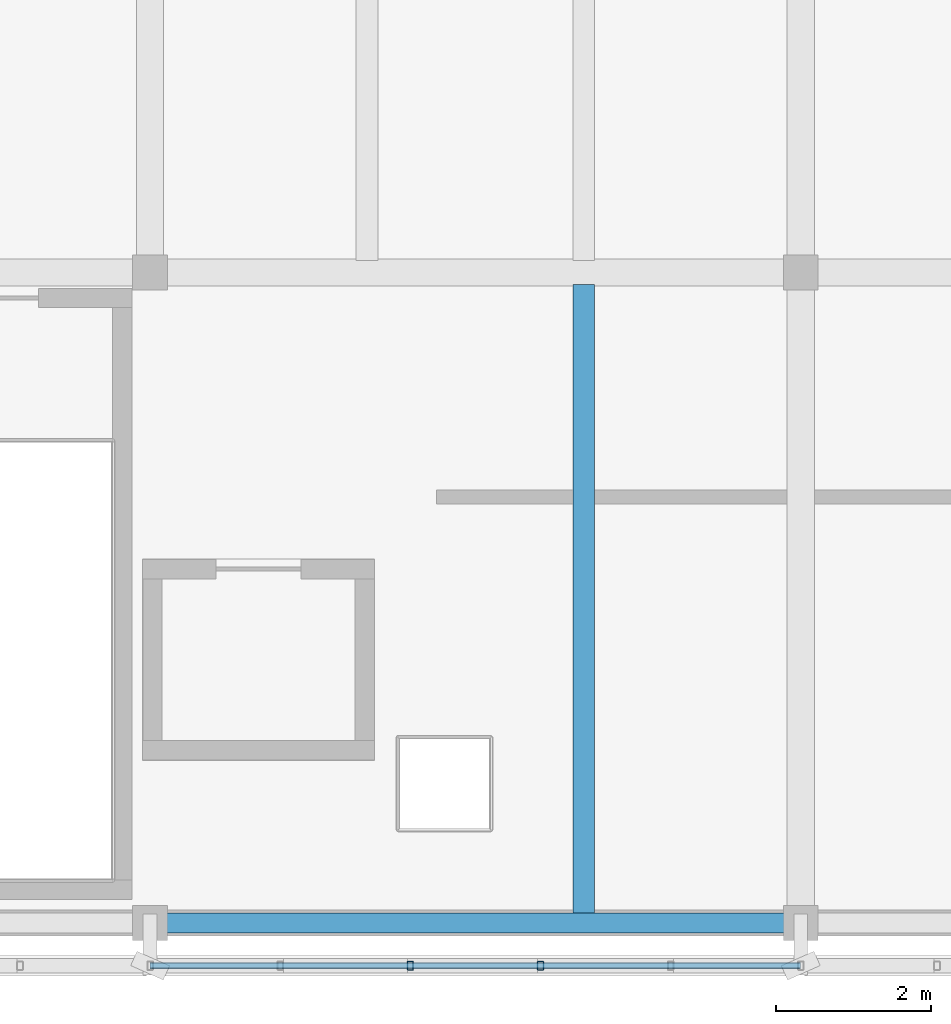
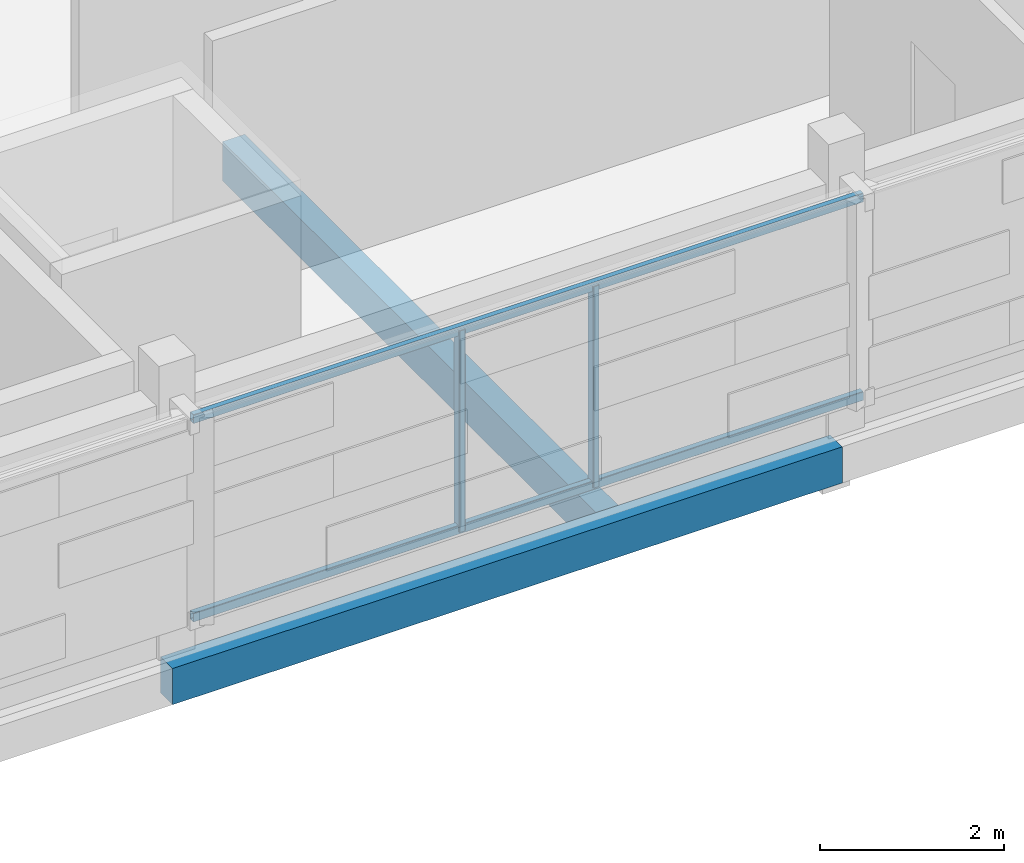
# One storey, part 10 of 117: 4 members, 2 beams.
"""IFC4 building model written with IfcOpenShell, lengths in metres."""

from ifc_helpers import new_model, si_unit, direction, frame, origin, origin_2d, place, context, subcontext, project, spatial, rectangle, hollow_rectangle, extrude, material, material_profile, profile_set, type_object, element, save


model = new_model("IFC4")

# Units and contexts
model_context = context("Model", 3, precision=1e-05, world=origin(), true_north=direction((0.0, 1.0)))
body_context = subcontext(model_context, "Body", "Model", "MODEL_VIEW")
ifc_project = project(units=[si_unit("LENGTHUNIT", "METRE"), si_unit("AREAUNIT", "SQUARE_METRE"), si_unit("VOLUMEUNIT", "CUBIC_METRE"), si_unit("PLANEANGLEUNIT", "RADIAN"), si_unit("MASSUNIT", "GRAM", prefix="KILO")], contexts=[model_context])

# Site, building, storey
site_placement = place(None, origin())
site = spatial("IfcSite", under=ifc_project, at=site_placement, CompositionType="ELEMENT")
building_placement = place(site_placement, origin())
building = spatial("IfcBuilding", under=site, at=building_placement, Name="Cinderway Yard Community Centre", CompositionType="ELEMENT")
storey_placement = place(building_placement, frame((0.0, 0.0, 9.0)))
storey = spatial("IfcBuildingStorey", under=building, at=storey_placement, Name="L02", CompositionType="ELEMENT", Elevation=9.0)

# Members
ifc_material_1 = material(Name="Steel S355", Category="steel")
ifc_material_profile_1 = material_profile(ifc_material_1, hollow_rectangle(XDim=0.080078125, YDim=0.1201171875, WallThickness=0.00634765625, InnerFilletRadius=0.00634765625, OuterFilletRadius=0.0126953125, at=origin_2d()), Name="Steel S355")
ifc_profile_set_1 = profile_set([ifc_material_profile_1], Name="Steel S355")
member_type = type_object("IfcMemberType", Name="ENV-MEM-SCREEN-RAIL-120", PredefinedType="STRINGER", material=ifc_profile_set_1)
for number, where, z_axis, x_axis, name in (
    (1, (66.800048828125, 5.449951171875, 0.7099609375), (1.0, 0.0, 0.0), (0.0, 1.0, 0.0), "Screen support rail 0651-BOT"),
    (2, (66.800048828125, 5.449951171875, 3.340087890625), (1.0, 0.0, 0.0), (0.0, 1.0, 0.0), "Screen support rail 0652-TOP"),
):
    element("IfcMember", number, at=place(storey_placement, frame(where, z_axis=z_axis, x_axis=x_axis)), inside=storey, type_object=member_type, Name=name, PredefinedType="STRINGER", context=body_context, shape_type="SweptSolid", body=[
        extrude(hollow_rectangle(XDim=0.080078125, YDim=0.1201171875, WallThickness=0.00634765625, InnerFilletRadius=0.00634765625, OuterFilletRadius=0.0126953125, at=origin_2d()), origin(), (0.0, 0.0, 1.0), 8.39990234375),
    ])
for number, where, z_axis, x_axis, name in (
    (3, (70.159912109375, 5.449951171875, 0.68994140625), (0.0, 0.0, 1.0), (1.0, 0.0, 0.0), "Screen vertical mullion 0654"),
    (4, (71.840087890625, 5.449951171875, 0.68994140625), (0.0, 0.0, 1.0), (1.0, 0.0, 0.0), "Screen vertical mullion 0655"),
):
    element("IfcMember", number, at=place(storey_placement, frame(where, z_axis=z_axis, x_axis=x_axis)), inside=storey, type_object=member_type, Name=name, PredefinedType="STRINGER", context=body_context, shape_type="SweptSolid", body=[
        extrude(hollow_rectangle(XDim=0.080078125, YDim=0.1201171875, WallThickness=0.00634765625, InnerFilletRadius=0.00634765625, OuterFilletRadius=0.0126953125, at=origin_2d()), origin(), (0.0, 0.0, 1.0), 2.670166015625),
    ])

# Beams
ifc_material_2 = material(Name="Concrete C40/50", Category="concrete")
ifc_material_profile_2 = material_profile(ifc_material_2, rectangle(XDim=0.260009765625, YDim=0.47998046875, at=origin_2d()), Name="Concrete C40/50")
ifc_profile_set_2 = profile_set([ifc_material_profile_2], Name="Concrete C40/50")
beam_type_1 = type_object("IfcBeamType", Name="STR-BM-RC260X480", PredefinedType="SPANDREL", material=ifc_profile_set_2)
beam_1_placement = place(storey_placement, frame((66.800048828125, 6.0, -0.47998046875), z_axis=(1.0, 0.0, 0.0), x_axis=(0.0, 1.0, 0.0)))
element("IfcBeam", 5, at=beam_1_placement, inside=storey, type_object=beam_type_1, Name="Primary girder STR-BM-L02-SP01-0436", PredefinedType="SPANDREL", context=body_context, shape_type="SweptSolid", body=[
    extrude(rectangle(XDim=0.260009765625, YDim=0.47998046875, at=origin_2d()), origin(), (0.0, 0.0, 1.0), 8.39990234375),
])
ifc_material_3 = material(Name="Concrete C35/45", Category="concrete")
ifc_material_profile_3 = material_profile(ifc_material_3, rectangle(XDim=0.280029296875, YDim=0.52001953125, at=origin_2d()), Name="Concrete C35/45")
ifc_profile_set_3 = profile_set([ifc_material_profile_3], Name="Concrete C35/45")
beam_type_2 = type_object("IfcBeamType", Name="STR-BM-RC280X520", PredefinedType="JOIST", material=ifc_profile_set_3)
beam_2_placement = place(storey_placement, frame((72.39990234375, 6.112060546875, -0.5), z_axis=(0.0, 1.0, 0.0), x_axis=(-1.0, 0.0, 0.0)))
element("IfcBeam", 6, at=beam_2_placement, inside=storey, type_object=beam_type_2, Name="Secondary joist STR-BM-L02-BJ04-0474", PredefinedType="JOIST", context=body_context, shape_type="SweptSolid", body=[
    extrude(rectangle(XDim=0.280029296875, YDim=0.52001953125, at=origin_2d()), origin(), (0.0, 0.0, 1.0), 8.130859375),
])

save(model, "model.ifc")
